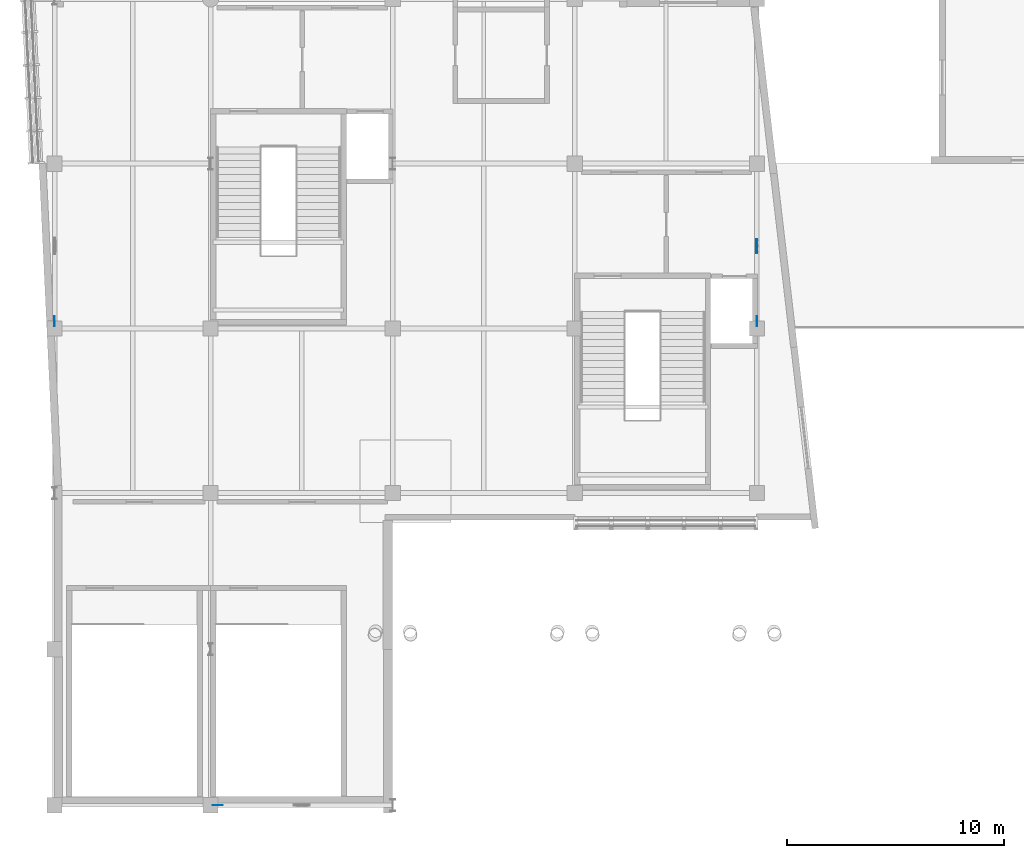
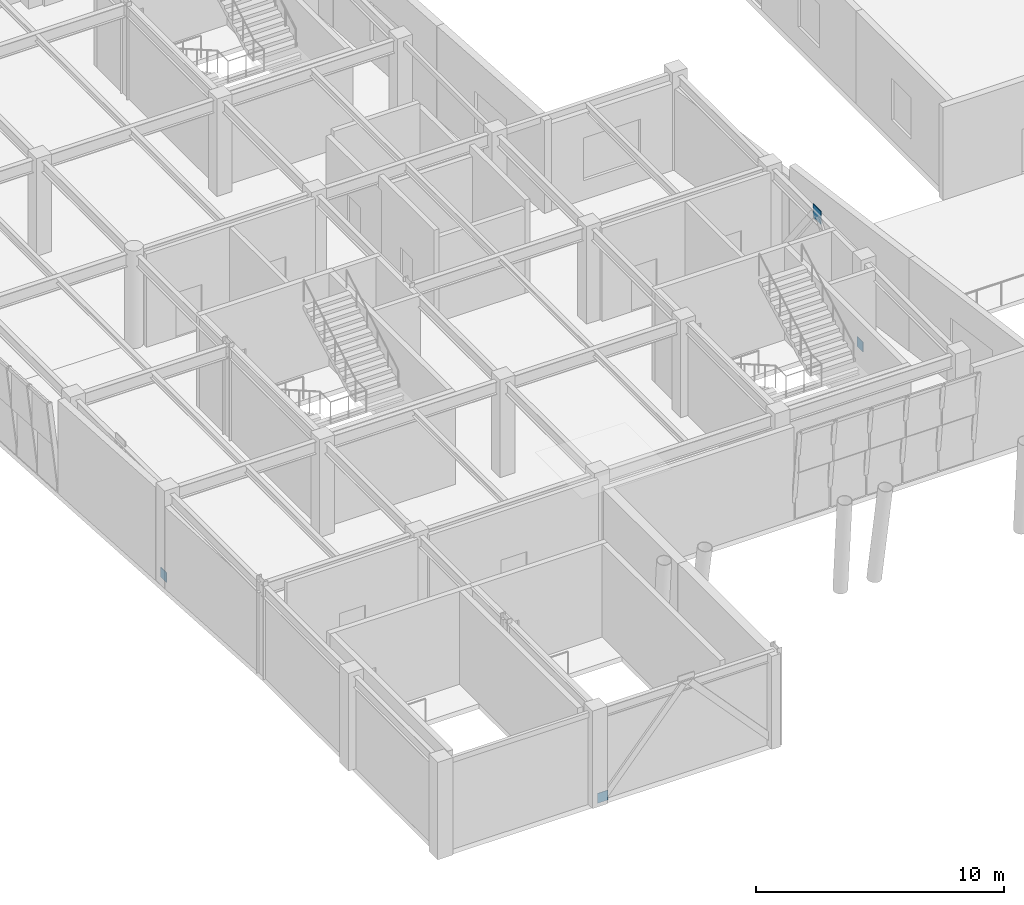
# One storey, part 57 of 72: 4 plates.
"""IFC4 building model written with IfcOpenShell, lengths in metres."""

from ifc_helpers import new_model, si_unit, direction, frame, origin, origin_2d, place, context, subcontext, project, spatial, rectangle, extrude, material, layer, layer_set, type_object, element, save


model = new_model("IFC4")

# Units and contexts
model_context = context("Model", 3, precision=1e-05, world=origin(), true_north=direction((0.0, 1.0)))
body_context = subcontext(model_context, "Body", "Model", "MODEL_VIEW")
ifc_project = project(units=[si_unit("LENGTHUNIT", "METRE"), si_unit("AREAUNIT", "SQUARE_METRE"), si_unit("VOLUMEUNIT", "CUBIC_METRE"), si_unit("PLANEANGLEUNIT", "RADIAN"), si_unit("MASSUNIT", "GRAM", prefix="KILO")], contexts=[model_context])

# Site, building, storey
site_placement = place(None, origin())
site = spatial("IfcSite", under=ifc_project, at=site_placement, CompositionType="ELEMENT")
building_placement = place(site_placement, origin())
building = spatial("IfcBuilding", under=site, at=building_placement, Name="Xicomal Pleat Aquarium", CompositionType="ELEMENT")
storey_placement = place(building_placement, frame((0.0, 0.0, 10.5)))
storey = spatial("IfcBuildingStorey", under=building, at=storey_placement, Name="L03", CompositionType="ELEMENT", Elevation=10.5)

# Plates
ifc_material_1 = material(Name="Structural steel A992 Gr 50", Category="steel")
ifc_layer_1 = layer(ifc_material_1, 0.02001953125)
ifc_layer_set_1 = layer_set([ifc_layer_1], Name="Structural steel A992 Gr 50")
plate_type_1 = type_object("IfcPlateType", Name="PLT-CAP-20", PredefinedType="SHEET", material=ifc_layer_set_1)
for number, where, z_axis, x_axis, name in (
    (1, (3.0, 23.1298828125, -0.090087890625), (0.0, 0.0, 1.0), (0.0, 1.0, 0.0), "L03 HSS end cap plate 4"),
    (2, (35.39990234375, 23.1298828125, -0.090087890625), (0.0, 0.0, 1.0), (0.0, 1.0, 0.0), "L03 HSS end cap plate 14"),
    (3, (10.530029296875, 0.800048828125, -0.090087890625), (0.0, 0.0, 1.0), (1.0, 0.0, 0.0), "L03 HSS end cap plate 34"),
):
    element("IfcPlate", number, at=place(storey_placement, frame(where, z_axis=z_axis, x_axis=x_axis)), inside=storey, type_object=plate_type_1, Name=name, PredefinedType="SHEET", context=body_context, shape_type="SweptSolid", body=[
        extrude(rectangle(XDim=0.47998046875, YDim=0.02001953125, at=origin_2d()), origin(), (0.0, 0.0, 1.0), 0.47998046875),
    ])
ifc_material_2 = material(Name="Structural steel A992 Gr 50", Category="steel")
ifc_layer_2 = layer(ifc_material_2, 0.034912109375)
ifc_layer_set_2 = layer_set([ifc_layer_2], Name="Structural steel A992 Gr 50")
plate_type_2 = type_object("IfcPlateType", Name="PLT-GUS-35", PredefinedType="USERDEFINED", material=ifc_layer_set_2)
plate_placement = place(storey_placement, frame((35.39990234375, 26.60009765625, 4.125), z_axis=(0.0, 0.0, 1.0), x_axis=(0.0, 1.0, 0.0)))
element("IfcPlate", 4, at=plate_placement, inside=storey, type_object=plate_type_2, Name="L03 chevron gusset node plate 14", ObjectType="GUSSET PLATE", PredefinedType="USERDEFINED", context=body_context, shape_type="SweptSolid", body=[
    extrude(rectangle(XDim=0.64990234375, YDim=0.034912109375, at=origin_2d()), origin(), (0.0, 0.0, 1.0), 0.64990234375),
])

save(model, "model.ifc")
